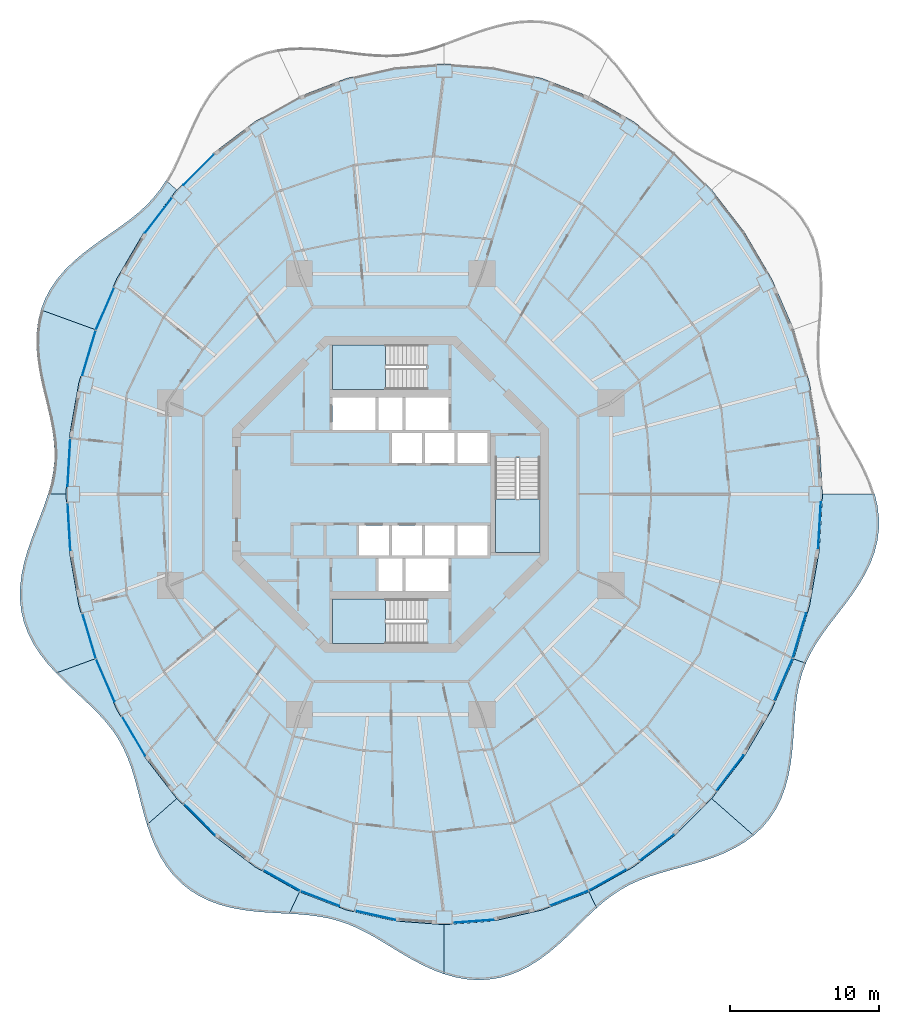
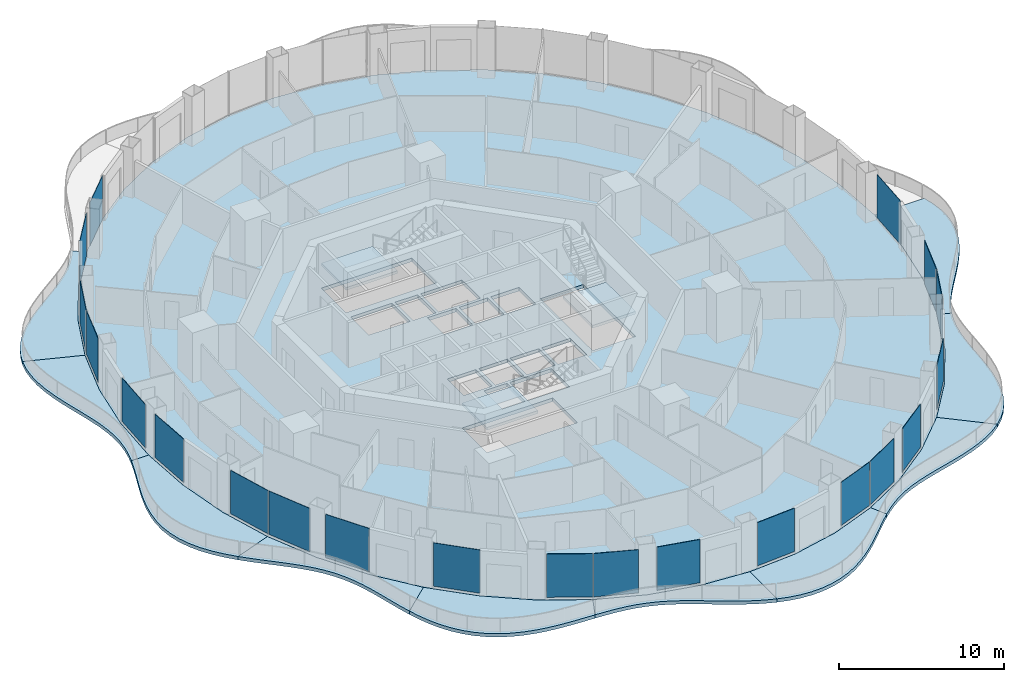
# One storey, part 9 of 19: 21 plates, 14 slabs, 24 elements without a shape of their own.
"""IFC4 building model written with IfcOpenShell, lengths in metres."""

import ifcopenshell
import ifcopenshell.guid

model = None  # the IFC model being written
_history = None  # IfcOwnerHistory: only IFC2X3 demands one
_inside = {}  # id of a spatial element -> (the spatial element, [elements in it])
_under = {}  # id of a project, library or spatial element -> (it, [spatial elements below it])
_declared = {}  # id of a project -> (the project, [libraries it declares])
_typed = {}  # id of a type object -> (the type object, [elements of that type])
_made_of = {}  # id of a material, layer set ... -> (it, [elements and type objects made of it])


def new_model(schema):
    """Start an empty IFC model of exactly this schema.

    Asked for "IFC4X3", IfcOpenShell would pick the latest addendum, in which some entities
    have other attributes; the version numbers below select the first issue.
    IFC2X3 requires an IfcOwnerHistory on every rooted entity: one is made here for all.
    """
    global model, _history
    if schema == "IFC4X3":
        model = ifcopenshell.file(schema_version=(4, 3, 0, 0))
    else:
        model = ifcopenshell.file(schema=schema)
    _inside.clear()
    _under.clear()
    _declared.clear()
    _typed.clear()
    _made_of.clear()
    _history = None
    if model.schema == "IFC2X3":
        org = make("IfcOrganization", Name="unknown")
        user = make(
            "IfcPersonAndOrganization",
            ThePerson=make("IfcPerson", FamilyName="unknown"),
            TheOrganization=org,
        )
        app = make(
            "IfcApplication",
            ApplicationDeveloper=org,
            Version="unknown",
            ApplicationFullName="unknown",
            ApplicationIdentifier="unknown",
        )
        _history = make(
            "IfcOwnerHistory",
            OwningUser=user,
            OwningApplication=app,
            ChangeAction="ADDED",
            CreationDate=0,
        )
    return model


def make(cls, **values):
    """One entity of the class cls with the attributes given. An attribute that is None is left unset."""
    return model.create_entity(
        cls, **{name: value for name, value in values.items() if value is not None}
    )


def rooted(cls, **values):
    """An entity with a GlobalId (a new one), such as an element, a storey or a relation."""
    return make(cls, GlobalId=ifcopenshell.guid.new(), OwnerHistory=_history, **values)


def si_unit(unit_type, name, prefix=None):
    """IfcSIUnit, for example si_unit("LENGTHUNIT", "METRE", prefix="MILLI")."""
    return make("IfcSIUnit", UnitType=unit_type, Prefix=prefix, Name=name)


def assignment(units):
    """IfcUnitAssignment: the units of a project."""
    return None if units is None else make("IfcUnitAssignment", Units=units)


def point(xyz):
    """IfcCartesianPoint."""
    return None if xyz is None else make("IfcCartesianPoint", Coordinates=xyz)


def direction(xyz):
    """IfcDirection."""
    return None if xyz is None else make("IfcDirection", DirectionRatios=xyz)


def frame(location, z_axis=None, x_axis=None):
    """IfcAxis2Placement3D, a coordinate frame: its origin and axes. An axis left out is left unset."""
    return make(
        "IfcAxis2Placement3D",
        Location=point(location),
        Axis=direction(z_axis),
        RefDirection=direction(x_axis),
    )


def frame_2d(location, x_axis=None):
    """IfcAxis2Placement2D, a coordinate frame in the plane: its origin and x axis."""
    return make(
        "IfcAxis2Placement2D", Location=point(location), RefDirection=direction(x_axis)
    )


def origin():
    """The frame at (0, 0, 0) with its axes left unset."""
    return frame((0.0, 0.0, 0.0))


def origin_2d():
    """The frame at (0, 0) in the plane with its x axis left unset."""
    return frame_2d((0.0, 0.0))


def place(relative_to, where):
    """IfcLocalPlacement: puts the frame where relative to a parent placement (None: the world)."""
    return make(
        "IfcLocalPlacement", PlacementRelTo=relative_to, RelativePlacement=where
    )


def context(
    kind, dimensions, precision=None, world=None, true_north=None, identifier=None
):
    """IfcGeometricRepresentationContext, for example the 3D "Model" context."""
    return make(
        "IfcGeometricRepresentationContext",
        ContextIdentifier=identifier,
        ContextType=kind,
        CoordinateSpaceDimension=dimensions,
        Precision=precision,
        WorldCoordinateSystem=world,
        TrueNorth=true_north,
    )


def subcontext(parent, identifier, kind, view, scale=None):
    """IfcGeometricRepresentationSubContext, for example "Body" below "Model"."""
    return make(
        "IfcGeometricRepresentationSubContext",
        ContextIdentifier=identifier,
        ContextType=kind,
        ParentContext=parent,
        TargetScale=scale,
        TargetView=view,
    )


def project(units=None, contexts=None):
    """IfcProject with its units and contexts."""
    return rooted(
        "IfcProject",
        Name="project",
        RepresentationContexts=contexts,
        UnitsInContext=assignment(units),
    )


def spatial(cls, under=None, at=None, **own):
    """A site, building, storey or space (cls), placed at a placement, below another one or the project."""
    s = rooted(cls, ObjectPlacement=at, **own)
    if under is not None:
        _under.setdefault(under.id(), (under, []))[1].append(s)
    return s


def polyline(points):
    """IfcPolyline through the points."""
    return make("IfcPolyline", Points=[point(p) for p in points])


def profile(cls, at=None, kind="AREA", **sizes):
    """A parametric profile (cls). Its sizes go by their IFC names, for example OverallWidth=200.0."""
    return make(cls, ProfileType=kind, Position=at, **sizes)


def rectangle(**sizes):
    """IfcRectangleProfileDef."""
    return profile("IfcRectangleProfileDef", **sizes)


def outline(outer, holes=None, kind="AREA"):
    """IfcArbitraryClosedProfileDef: a profile drawn as a closed curve; with holes, ...WithVoids."""
    if holes is None:
        return make("IfcArbitraryClosedProfileDef", ProfileType=kind, OuterCurve=outer)
    return make(
        "IfcArbitraryProfileDefWithVoids",
        ProfileType=kind,
        OuterCurve=outer,
        InnerCurves=holes,
    )


def extrude(swept, where, along, depth):
    """IfcExtrudedAreaSolid: the profile swept, set in the frame where, extruded along a direction by depth."""
    return make(
        "IfcExtrudedAreaSolid",
        SweptArea=swept,
        Position=where,
        ExtrudedDirection=direction(along),
        Depth=depth,
    )


def shape(context_of_items, identifier, shape_type, items):
    """IfcShapeRepresentation: the items that make up one representation, for example the "Body"."""
    return make(
        "IfcShapeRepresentation",
        ContextOfItems=context_of_items,
        RepresentationIdentifier=identifier,
        RepresentationType=shape_type,
        Items=items,
    )


def material(Name=None, Category=None):
    """IfcMaterial."""
    return make("IfcMaterial", Name=Name, Category=Category)


def layer(
    of_material, thickness, ventilated=None, Name=None, Category=None, Priority=None
):
    """IfcMaterialLayer: one layer of a wall or slab, of a material (None: an air gap)."""
    return make(
        "IfcMaterialLayer",
        Material=of_material,
        LayerThickness=thickness,
        IsVentilated=ventilated,
        Name=Name,
        Category=Category,
        Priority=Priority,
    )


def layer_set(layers, Name=None):
    """IfcMaterialLayerSet."""
    return make("IfcMaterialLayerSet", MaterialLayers=layers, LayerSetName=Name)


def made_of(thing, what):
    """Note that an element or type object is made of a material, layer set ...; save() writes the relation."""
    if what is not None:
        _made_of.setdefault(what.id(), (what, []))[1].append(thing)
    return thing


def type_object(cls, material=None, **own):
    """A type object (cls), such as IfcWallType, which elements share."""
    return made_of(rooted(cls, **own), material)


def element(
    cls,
    number,
    at=None,
    inside=None,
    cuts=None,
    type_object=None,
    material=None,
    context=None,
    identifier="Body",
    shape_type=None,
    held_by="IfcProductDefinitionShape",
    body=None,
    shapes=None,
    **own,
):
    """One element of the class cls, such as IfcWall. Its Tag is "e" and its number.

    at: its placement. inside: the storey or other place that contains it. cuts: it is an
    opening in that element (IfcRelVoidsElement). A single representation is given by context,
    identifier, shape_type and body (its items); several are given by shapes. held_by: the class
    of the entity that holds the representations. save() writes the other relations.
    """
    e = rooted(cls, Tag="e%d" % number, ObjectPlacement=at, **own)
    if body is not None:
        shapes = [shape(context, identifier, shape_type, body)]
    if shapes is not None:
        e.Representation = make(held_by, Representations=shapes)
    if inside is not None:
        _inside.setdefault(inside.id(), (inside, []))[1].append(e)
    if cuts is not None:
        rooted(
            "IfcRelVoidsElement", RelatingBuildingElement=cuts, RelatedOpeningElement=e
        )
    if type_object is not None:
        _typed.setdefault(type_object.id(), (type_object, []))[1].append(e)
    return made_of(e, material)


def aggregate(whole, parts):
    """IfcRelAggregates: a whole, such as a stair, and the parts it consists of."""
    return rooted("IfcRelAggregates", RelatingObject=whole, RelatedObjects=parts)


def save(model, path):
    """Write the relations noted so far, then the file.

    IfcRelAggregates (storeys below a building ...), IfcRelContainedInSpatialStructure (elements
    in a storey), IfcRelDefinesByType, IfcRelAssociatesMaterial and IfcRelDeclares: one each for
    every whole, place, type object, material and project.
    """
    for whole, parts in _under.values():
        aggregate(whole, parts)
    for where, things in _inside.values():
        rooted(
            "IfcRelContainedInSpatialStructure",
            RelatedElements=things,
            RelatingStructure=where,
        )
    for kind, things in _typed.values():
        rooted("IfcRelDefinesByType", RelatedObjects=things, RelatingType=kind)
    for what, things in _made_of.values():
        rooted("IfcRelAssociatesMaterial", RelatedObjects=things, RelatingMaterial=what)
    for by, libraries in _declared.values():
        rooted("IfcRelDeclares", RelatingContext=by, RelatedDefinitions=libraries)
    model.write(path)


model = new_model("IFC4")

# Units and contexts
model_context = context("Model", 3, precision=1e-05, world=origin(), true_north=direction((0.0, 1.0)))
body_context = subcontext(model_context, "Body", "Model", "MODEL_VIEW")
ifc_project = project(units=[si_unit("LENGTHUNIT", "METRE"), si_unit("AREAUNIT", "SQUARE_METRE"), si_unit("VOLUMEUNIT", "CUBIC_METRE"), si_unit("PLANEANGLEUNIT", "RADIAN"), si_unit("MASSUNIT", "GRAM", prefix="KILO")], contexts=[model_context])

# Site, building, storey
site_placement = place(None, origin())
site = spatial("IfcSite", under=ifc_project, at=site_placement, CompositionType="ELEMENT")
building_placement = place(site_placement, origin())
building = spatial("IfcBuilding", under=site, at=building_placement, Name="Nagisa Residences", CompositionType="ELEMENT")
storey_placement = place(building_placement, frame((0.0, 0.0, 202.89990234375)))
storey = spatial("IfcBuildingStorey", under=building, at=storey_placement, Name="L51", CompositionType="ELEMENT", Elevation=202.89990234375)

# Slabs
ifc_material_1 = material(Name="Concrete C40/50", Category="concrete")
ifc_layer_1 = layer(ifc_material_1, 0.25)
ifc_layer_set_1 = layer_set([ifc_layer_1], Name="BALCONY SLAB 250")
slab_type_1 = type_object("IfcSlabType", Name="BALCONY SLAB 250", PredefinedType="FLOOR", material=ifc_layer_set_1)
slab_1_placement = place(storey_placement, frame((0.0, 0.0, -0.25)))
element("IfcSlab", 1, at=slab_1_placement, inside=storey, type_object=slab_type_1, Name="slab:L51:bal06", PredefinedType="FLOOR", context=body_context, shape_type="SweptSolid", body=[
    extrude(outline(polyline([(-15.060546875, 21.04833984375), (-15.452392578125, 20.455322265625), (-15.887451171875, 19.901611328125), (-16.369140625, 19.3837890625), (-16.8984375, 18.89599609375), (-17.47216796875, 18.430419921875), (-18.083984375, 17.97802734375), (-18.72412109375, 17.52880859375), (-19.380615234375, 17.072509765625), (-20.0390625, 16.60009765625), (-20.68408203125, 16.103271484375), (-21.29931640625, 15.57470703125), (-21.86962890625, 15.010009765625), (-22.380859375, 14.40625), (-22.820556640625, 13.7626953125), (-23.18017578125, 13.080810546875), (-23.453857421875, 12.3642578125), (-19.843505859375, 11.050048828125), (-18.37548828125, 14.4375), (-16.53125, 17.577880859375), (-14.3427734375, 20.417724609375), (-15.060546875, 21.04833984375)])), origin(), (0.0, 0.0, 1.0), 0.25),
])
slab_2_placement = place(storey_placement, frame((0.0, 0.0, -0.25)))
element("IfcSlab", 2, at=slab_2_placement, inside=storey, type_object=slab_type_1, Name="slab:L51:bal07", PredefinedType="FLOOR", context=body_context, shape_type="SweptSolid", body=[
    extrude(outline(polyline([(-23.453857421875, 12.3642578125), (-23.643798828125, 11.593505859375), (-23.74267578125, 10.797607421875), (-23.756591796875, 9.984375), (-23.696533203125, 9.16162109375), (-23.576171875, 8.3369140625), (-23.412841796875, 7.51708984375), (-23.224609375, 6.70751953125), (-23.03076171875, 5.912109375), (-22.849609375, 5.13330078125), (-22.698974609375, 4.371337890625), (-22.5927734375, 3.625), (-22.54248046875, 2.8916015625), (-22.55517578125, 2.167236328125), (-22.6337890625, 1.447021484375), (-22.776123046875, 0.726318359375), (-22.975830078125, 0.0), (-21.77490234375, 0.0), (-21.557861328125, 3.76904296875), (-20.910400390625, 7.473388671875), (-19.843505859375, 11.050048828125), (-23.453857421875, 12.3642578125)])), origin(), (0.0, 0.0, 1.0), 0.25),
])
slab_3_placement = place(storey_placement, frame((0.0, 0.0, -0.25)))
element("IfcSlab", 3, at=slab_3_placement, inside=storey, type_object=slab_type_1, Name="slab:L51:bal08", PredefinedType="FLOOR", context=body_context, shape_type="SweptSolid", body=[
    extrude(outline(polyline([(-22.975830078125, 0.0), (-23.222412109375, -0.73583984375), (-23.50146484375, -1.484375), (-23.7958984375, -2.2470703125), (-24.08740234375, -3.024658203125), (-24.3564453125, -3.815185546875), (-24.583740234375, -4.615966796875), (-24.75244140625, -5.422119140625), (-24.846923828125, -6.228271484375), (-24.85595703125, -7.028076171875), (-24.77197265625, -7.815185546875), (-24.59130859375, -8.5830078125), (-24.31591796875, -9.326416015625), (-23.951171875, -10.040771484375), (-23.50732421875, -10.7236328125), (-22.997314453125, -11.37451171875), (-22.4375, -11.994140625), (-19.843505859375, -11.050048828125), (-20.910400390625, -7.473388671875), (-21.557861328125, -3.76904296875), (-21.77490234375, 0.0), (-22.975830078125, 0.0)])), origin(), (0.0, 0.0, 1.0), 0.25),
])
slab_4_placement = place(storey_placement, frame((0.0, 0.0, -0.25)))
element("IfcSlab", 4, at=slab_4_placement, inside=storey, type_object=slab_type_1, Name="slab:L51:bal09", PredefinedType="FLOOR", context=body_context, shape_type="SweptSolid", body=[
    extrude(outline(polyline([(-22.4375, -11.994140625), (-21.8642578125, -12.56884765625), (-21.27734375, -13.12255859375), (-20.693359375, -13.662109375), (-20.12744140625, -14.194580078125), (-19.5927734375, -14.728759765625), (-19.099853515625, -15.2724609375), (-18.655517578125, -15.833740234375), (-18.263671875, -16.419677734375), (-17.923828125, -17.03564453125), (-17.632568359375, -17.68505859375), (-17.38232421875, -18.369140625), (-17.1630859375, -19.086181640625), (-16.962890625, -19.83251953125), (-16.767578125, -20.60107421875), (-16.56298828125, -21.38330078125), (-16.334716796875, -22.168212890625), (-14.3427734375, -20.417724609375), (-16.53125, -17.577880859375), (-18.37548828125, -14.4375), (-19.843505859375, -11.050048828125), (-22.4375, -11.994140625)])), origin(), (0.0, 0.0, 1.0), 0.25),
])
slab_5_placement = place(storey_placement, frame((0.0, 0.0, -0.25)))
element("IfcSlab", 5, at=slab_5_placement, inside=storey, type_object=slab_type_1, Name="slab:L51:bal10", PredefinedType="FLOOR", context=body_context, shape_type="SweptSolid", body=[
    extrude(outline(polyline([(-16.334716796875, -22.168212890625), (-16.0830078125, -22.907470703125), (-15.787841796875, -23.626708984375), (-15.44140625, -24.314453125), (-15.03759765625, -24.9599609375), (-14.573486328125, -25.5537109375), (-14.048583984375, -26.08740234375), (-13.465087890625, -26.555419921875), (-12.827880859375, -26.9541015625), (-12.14306640625, -27.28271484375), (-11.419677734375, -27.5439453125), (-10.66650390625, -27.742431640625), (-9.89404296875, -27.88623046875), (-9.1123046875, -27.985107421875), (-8.33056640625, -28.051025390625), (-7.55712890625, -28.09716796875), (-6.798828125, -28.136962890625), (-6.110595703125, -26.677001953125), (-9.08740234375, -25.006591796875), (-11.847412109375, -22.907958984375), (-14.3427734375, -20.417724609375), (-16.334716796875, -22.168212890625)])), origin(), (0.0, 0.0, 1.0), 0.25),
])
slab_6_placement = place(storey_placement, frame((0.0, 0.0, -0.25)))
element("IfcSlab", 6, at=slab_6_placement, inside=storey, type_object=slab_type_1, Name="slab:L51:bal11", PredefinedType="FLOOR", context=body_context, shape_type="SweptSolid", body=[
    extrude(outline(polyline([(-6.798828125, -28.136962890625), (-6.086669921875, -28.18212890625), (-5.395751953125, -28.245361328125), (-4.726806640625, -28.33642578125), (-4.078857421875, -28.46337890625), (-3.44873046875, -28.6318359375), (-2.833251953125, -28.84521484375), (-2.22705078125, -29.10302734375), (-1.62451171875, -29.403076171875), (-1.020263671875, -29.739013671875), (-0.40869140625, -30.10302734375), (0.215087890625, -30.484375), (0.854736328125, -30.87060546875), (1.512939453125, -31.248291015625), (2.1904296875, -31.60302734375), (2.88671875, -31.921142578125), (3.60009765625, -32.189208984375), (3.60009765625, -28.875), (0.287841796875, -28.6279296875), (-2.967529296875, -27.89111328125), (-6.110595703125, -26.677001953125), (-6.798828125, -28.136962890625)])), origin(), (0.0, 0.0, 1.0), 0.25),
])
slab_7_placement = place(storey_placement, frame((0.0, 0.0, -0.25)))
element("IfcSlab", 7, at=slab_7_placement, inside=storey, type_object=slab_type_1, Name="slab:L51:bal12", PredefinedType="FLOOR", context=body_context, shape_type="SweptSolid", body=[
    extrude(outline(polyline([(3.60009765625, -32.189208984375), (4.32666015625, -32.3955078125), (5.061767578125, -32.530029296875), (5.80029296875, -32.5859375), (6.53564453125, -32.55859375), (7.261962890625, -32.446533203125), (7.9736328125, -32.25146484375), (8.6650390625, -31.978271484375), (9.33251953125, -31.63427734375), (9.97314453125, -31.229248046875), (10.585693359375, -30.77490234375), (11.171142578125, -30.284423828125), (11.731689453125, -29.771240234375), (12.27099609375, -29.249267578125), (12.794189453125, -28.7314453125), (13.3076171875, -28.229736328125), (13.818115234375, -27.75390625), (13.310546875, -26.677001953125), (10.16748046875, -27.89111328125), (6.912109375, -28.6279296875), (3.60009765625, -28.875), (3.60009765625, -32.189208984375)])), origin(), (0.0, 0.0, 1.0), 0.25),
])
slab_8_placement = place(storey_placement, frame((0.0, 0.0, -0.25)))
element("IfcSlab", 8, at=slab_8_placement, inside=storey, type_object=slab_type_1, Name="slab:L51:bal13", PredefinedType="FLOOR", context=body_context, shape_type="SweptSolid", body=[
    extrude(outline(polyline([(13.818115234375, -27.75390625), (14.3525390625, -27.29638671875), (14.899169921875, -26.881103515625), (15.465087890625, -26.511474609375), (16.055908203125, -26.186767578125), (16.675537109375, -25.903564453125), (17.32568359375, -25.65625), (18.005615234375, -25.43603515625), (18.71240234375, -25.23291015625), (19.44091796875, -25.035400390625), (20.18359375, -24.83154296875), (20.93115234375, -24.609375), (21.673095703125, -24.35791015625), (22.397705078125, -24.067138671875), (23.09375, -23.72900390625), (23.749755859375, -23.337646484375), (24.355712890625, -22.8896484375), (21.542724609375, -20.417724609375), (19.04736328125, -22.907958984375), (16.28759765625, -25.006591796875), (13.310546875, -26.677001953125), (13.818115234375, -27.75390625)])), origin(), (0.0, 0.0, 1.0), 0.25),
])
slab_9_placement = place(storey_placement, frame((0.0, 0.0, -0.25)))
element("IfcSlab", 9, at=slab_9_placement, inside=storey, type_object=slab_type_1, Name="slab:L51:bal14", PredefinedType="FLOOR", context=body_context, shape_type="SweptSolid", body=[
    extrude(outline(polyline([(24.355712890625, -22.8896484375), (24.92822265625, -22.357177734375), (25.42919921875, -21.762939453125), (25.85400390625, -21.11083984375), (26.202392578125, -20.408203125), (26.476806640625, -19.663330078125), (26.68359375, -18.886474609375), (26.832275390625, -18.088134765625), (26.934814453125, -17.279541015625), (27.00537109375, -16.470703125), (27.0595703125, -15.6708984375), (27.11328125, -14.8876953125), (27.181640625, -14.12646484375), (27.279052734375, -13.39111328125), (27.41748046875, -12.68310546875), (27.605712890625, -12.00146484375), (27.849609375, -11.343505859375), (27.04345703125, -11.050048828125), (25.575439453125, -14.4375), (23.7314453125, -17.577880859375), (21.542724609375, -20.417724609375), (24.355712890625, -22.8896484375)])), origin(), (0.0, 0.0, 1.0), 0.25),
])
slab_10_placement = place(storey_placement, frame((0.0, 0.0, -0.25)))
element("IfcSlab", 10, at=slab_10_placement, inside=storey, type_object=slab_type_1, Name="slab:L51:bal15", PredefinedType="FLOOR", context=body_context, shape_type="SweptSolid", body=[
    extrude(outline(polyline([(27.849609375, -11.343505859375), (28.16162109375, -10.684814453125), (28.53271484375, -10.041015625), (28.9560546875, -9.40478515625), (29.421142578125, -8.76953125), (29.9140625, -8.1279296875), (30.41748046875, -7.474365234375), (30.91357421875, -6.8037109375), (31.3828125, -6.11279296875), (31.806640625, -5.39990234375), (32.168212890625, -4.665771484375), (32.452392578125, -3.911865234375), (32.6484375, -3.141845703125), (32.7490234375, -2.360107421875), (32.75146484375, -1.572265625), (32.65771484375, -0.78369140625), (32.47412109375, 0.0), (28.97509765625, 0.0), (28.7578125, -3.76904296875), (28.1103515625, -7.473388671875), (27.04345703125, -11.050048828125), (27.849609375, -11.343505859375)])), origin(), (0.0, 0.0, 1.0), 0.25),
])

# Curtain wall, plate
ifc_material_2 = material(Name="Concrete-coloured aluminium curtain wall system", Category="concrete")
ifc_layer_2 = layer(ifc_material_2, 0.159912109375)
ifc_layer_set_2 = layer_set([ifc_layer_2], Name="CW1 CURTAIN WALL")
curtain_wall_type = type_object("IfcCurtainWallType", Name="CW1 CURTAIN WALL", PredefinedType="NOTDEFINED", material=ifc_layer_set_2)
curtain_wall_1_placement = place(storey_placement, origin())
curtain_wall_1 = element("IfcCurtainWall", 11, at=curtain_wall_1_placement, inside=storey, type_object=curtain_wall_type, Name="cw:CW1:L51:17", PredefinedType="NOTDEFINED")
ifc_material_3 = material(Name="Clear laminated glass", Category="glass")
ifc_layer_3 = layer(ifc_material_3, 0.028076171875)
ifc_layer_set_3 = layer_set([ifc_layer_3], Name="CW1 GLASS PANEL")
plate_type = type_object("IfcPlateType", Name="CW1 GLASS PANEL", PredefinedType="CURTAIN_PANEL", material=ifc_layer_set_3)
plate_1_placement = place(storey_placement, frame((-12.865234375, 21.779296875, 0.14990234375), z_axis=(0.0, 0.0, 1.0), x_axis=(-0.707835924016, -0.706376885714, 0.0)))
plate_1 = element("IfcPlate", 12, at=plate_1_placement, type_object=plate_type, Name="CW1 panel", PredefinedType="CURTAIN_PANEL", context=body_context, shape_type="SweptSolid", body=[
    extrude(rectangle(XDim=2.91552734375, YDim=0.028076171875, at=origin_2d()), origin(), (0.0, 0.0, 1.0), 3.199951171875),
])
aggregate(curtain_wall_1, [plate_1])

curtain_wall_2_placement = place(storey_placement, origin())
curtain_wall_2 = element("IfcCurtainWall", 13, at=curtain_wall_2_placement, inside=storey, type_object=curtain_wall_type, Name="cw:CW1:L51:18", PredefinedType="NOTDEFINED")
plate_2_placement = place(storey_placement, frame((-15.559814453125, 18.70751953125, 0.14990234375), z_axis=(0.0, 0.0, 1.0), x_axis=(-0.610429828235, -0.792070340816, 0.0)))
plate_2 = element("IfcPlate", 14, at=plate_2_placement, type_object=plate_type, Name="CW1 panel", PredefinedType="CURTAIN_PANEL", context=body_context, shape_type="SweptSolid", body=[
    extrude(rectangle(XDim=2.97509765625, YDim=0.028076171875, at=origin_2d()), origin(), (0.0, 0.0, 1.0), 3.199951171875),
])
aggregate(curtain_wall_2, [plate_2])

curtain_wall_3_placement = place(storey_placement, origin())
curtain_wall_3 = element("IfcCurtainWall", 15, at=curtain_wall_3_placement, inside=storey, type_object=curtain_wall_type, Name="cw:CW1:L51:20", PredefinedType="NOTDEFINED")
plate_3_placement = place(storey_placement, frame((-19.1572265625, 12.43212890625, 0.14990234375), z_axis=(0.0, 0.0, 1.0), x_axis=(-0.397635934147, -0.917543276295, 0.0)))
plate_3 = element("IfcPlate", 16, at=plate_3_placement, type_object=plate_type, Name="CW1 panel", PredefinedType="CURTAIN_PANEL", context=body_context, shape_type="SweptSolid", body=[
    extrude(rectangle(XDim=3.08203125, YDim=0.028076171875, at=origin_2d()), origin(), (0.0, 0.0, 1.0), 3.199951171875),
])
aggregate(curtain_wall_3, [plate_3])

curtain_wall_4_placement = place(storey_placement, origin())
curtain_wall_4 = element("IfcCurtainWall", 17, at=curtain_wall_4_placement, inside=storey, type_object=curtain_wall_type, Name="cw:CW1:L51:21", PredefinedType="NOTDEFINED")
plate_4_placement = place(storey_placement, frame((-20.230224609375, 9.4736328125, 0.14990234375), z_axis=(0.0, 0.0, 1.0), x_axis=(-0.285860274038, -0.958271310082, 0.0)))
plate_4 = element("IfcPlate", 18, at=plate_4_placement, type_object=plate_type, Name="CW1 panel", PredefinedType="CURTAIN_PANEL", context=body_context, shape_type="SweptSolid", body=[
    extrude(rectangle(XDim=3.122314453125, YDim=0.028076171875, at=origin_2d()), origin(), (0.0, 0.0, 1.0), 3.199951171875),
])
aggregate(curtain_wall_4, [plate_4])

curtain_wall_5_placement = place(storey_placement, origin())
curtain_wall_5 = element("IfcCurtainWall", 19, at=curtain_wall_5_placement, inside=storey, type_object=curtain_wall_type, Name="cw:CW1:L51:23", PredefinedType="NOTDEFINED")
plate_5_placement = place(storey_placement, frame((-21.572509765625, 2.12451171875, 0.14990234375), z_axis=(0.0, 0.0, 1.0), x_axis=(-0.057503492216, -0.998345305184, 0.0)))
plate_5 = element("IfcPlate", 20, at=plate_5_placement, type_object=plate_type, Name="CW1 panel", PredefinedType="CURTAIN_PANEL", context=body_context, shape_type="SweptSolid", body=[
    extrude(rectangle(XDim=3.165283203125, YDim=0.028076171875, at=origin_2d()), origin(), (0.0, 0.0, 1.0), 3.199951171875),
])
aggregate(curtain_wall_5, [plate_5])

curtain_wall_6_placement = place(storey_placement, origin())
curtain_wall_6 = element("IfcCurtainWall", 21, at=curtain_wall_6_placement, inside=storey, type_object=curtain_wall_type, Name="cw:CW1:L51:24", PredefinedType="NOTDEFINED")
plate_6_placement = place(storey_placement, frame((-21.569091796875, -2.184326171875, 0.14990234375), z_axis=(0.0, 0.0, 1.0), x_axis=(0.057503492216, -0.998345305184, 0.0)))
plate_6 = element("IfcPlate", 22, at=plate_6_placement, type_object=plate_type, Name="CW1 panel", PredefinedType="CURTAIN_PANEL", context=body_context, shape_type="SweptSolid", body=[
    extrude(rectangle(XDim=3.165283203125, YDim=0.028076171875, at=origin_2d()), origin(), (0.0, 0.0, 1.0), 3.199951171875),
])
aggregate(curtain_wall_6, [plate_6])

curtain_wall_7_placement = place(storey_placement, origin())
curtain_wall_7 = element("IfcCurtainWall", 23, at=curtain_wall_7_placement, inside=storey, type_object=curtain_wall_type, Name="cw:CW1:L51:26", PredefinedType="NOTDEFINED")
plate_7_placement = place(storey_placement, frame((-20.213134765625, -9.531005859375, 0.14990234375), z_axis=(0.0, 0.0, 1.0), x_axis=(0.285860274038, -0.958271310082, 0.0)))
plate_7 = element("IfcPlate", 24, at=plate_7_placement, type_object=plate_type, Name="CW1 panel", PredefinedType="CURTAIN_PANEL", context=body_context, shape_type="SweptSolid", body=[
    extrude(rectangle(XDim=3.122314453125, YDim=0.028076171875, at=origin_2d()), origin(), (0.0, 0.0, 1.0), 3.199951171875),
])
aggregate(curtain_wall_7, [plate_7])

curtain_wall_8_placement = place(storey_placement, origin())
curtain_wall_8 = element("IfcCurtainWall", 25, at=curtain_wall_8_placement, inside=storey, type_object=curtain_wall_type, Name="cw:CW1:L51:27", PredefinedType="NOTDEFINED")
plate_8_placement = place(storey_placement, frame((-19.133544921875, -12.487060546875, 0.14990234375), z_axis=(0.0, 0.0, 1.0), x_axis=(0.397635934147, -0.917543276295, 0.0)))
plate_8 = element("IfcPlate", 26, at=plate_8_placement, type_object=plate_type, Name="CW1 panel", PredefinedType="CURTAIN_PANEL", context=body_context, shape_type="SweptSolid", body=[
    extrude(rectangle(XDim=3.08203125, YDim=0.028076171875, at=origin_2d()), origin(), (0.0, 0.0, 1.0), 3.199951171875),
])
aggregate(curtain_wall_8, [plate_8])

curtain_wall_9_placement = place(storey_placement, origin())
curtain_wall_9 = element("IfcCurtainWall", 27, at=curtain_wall_9_placement, inside=storey, type_object=curtain_wall_type, Name="cw:CW1:L51:28", PredefinedType="NOTDEFINED")
plate_9_placement = place(storey_placement, frame((-17.22998046875, -16.230224609375, 0.14990234375), z_axis=(0.0, 0.0, 1.0), x_axis=(0.506348567002, -0.862328898214, 0.0)))
plate_9 = element("IfcPlate", 28, at=plate_9_placement, type_object=plate_type, Name="CW1 panel", PredefinedType="CURTAIN_PANEL", context=body_context, shape_type="SweptSolid", body=[
    extrude(rectangle(XDim=3.031982421875, YDim=0.028076171875, at=origin_2d()), origin(), (0.0, 0.0, 1.0), 3.199951171875),
])
aggregate(curtain_wall_9, [plate_9])

curtain_wall_10_placement = place(storey_placement, origin())
curtain_wall_10 = element("IfcCurtainWall", 29, at=curtain_wall_10_placement, inside=storey, type_object=curtain_wall_type, Name="cw:CW1:L51:30", PredefinedType="NOTDEFINED")
plate_10_placement = place(storey_placement, frame((-12.82275390625, -21.82177734375, 0.14990234375), z_axis=(0.0, 0.0, 1.0), x_axis=(0.707835924016, -0.706376885714, 0.0)))
plate_10 = element("IfcPlate", 30, at=plate_10_placement, type_object=plate_type, Name="CW1 panel", PredefinedType="CURTAIN_PANEL", context=body_context, shape_type="SweptSolid", body=[
    extrude(rectangle(XDim=2.91552734375, YDim=0.028076171875, at=origin_2d()), origin(), (0.0, 0.0, 1.0), 3.199951171875),
])
aggregate(curtain_wall_10, [plate_10])

curtain_wall_11_placement = place(storey_placement, origin())
curtain_wall_11 = element("IfcCurtainWall", 31, at=curtain_wall_11_placement, inside=storey, type_object=curtain_wall_type, Name="cw:CW1:L51:32", PredefinedType="NOTDEFINED")
plate_11_placement = place(storey_placement, frame((-7.2939453125, -25.921142578125, 0.14990234375), z_axis=(0.0, 0.0, 1.0), x_axis=(0.872072377523, -0.489376918501, 0.0)))
plate_11 = element("IfcPlate", 32, at=plate_11_placement, type_object=plate_type, Name="CW1 panel", PredefinedType="CURTAIN_PANEL", context=body_context, shape_type="SweptSolid", body=[
    extrude(rectangle(XDim=2.8037109375, YDim=0.028076171875, at=origin_2d()), origin(), (0.0, 0.0, 1.0), 3.199951171875),
])
aggregate(curtain_wall_11, [plate_11])

curtain_wall_12_placement = place(storey_placement, origin())
curtain_wall_12 = element("IfcCurtainWall", 33, at=curtain_wall_12_placement, inside=storey, type_object=curtain_wall_type, Name="cw:CW1:L51:33", PredefinedType="NOTDEFINED")
plate_12_placement = place(storey_placement, frame((-4.73876953125, -27.12109375, 0.14990234375), z_axis=(0.0, 0.0, 1.0), x_axis=(0.932825759707, -0.360327770268, 0.0)))
plate_12 = element("IfcPlate", 34, at=plate_12_placement, type_object=plate_type, Name="CW1 panel", PredefinedType="CURTAIN_PANEL", context=body_context, shape_type="SweptSolid", body=[
    extrude(rectangle(XDim=2.75927734375, YDim=0.028076171875, at=origin_2d()), origin(), (0.0, 0.0, 1.0), 3.199951171875),
])
aggregate(curtain_wall_12, [plate_12])

curtain_wall_13_placement = place(storey_placement, origin())
curtain_wall_13 = element("IfcCurtainWall", 35, at=curtain_wall_13_placement, inside=storey, type_object=curtain_wall_type, Name="cw:CW1:L51:34", PredefinedType="NOTDEFINED")
plate_13_placement = place(storey_placement, frame((-1.024658203125, -28.248779296875, 0.14990234375), z_axis=(0.0, 0.0, 1.0), x_axis=(0.975327274089, -0.2207639201, 0.0)))
plate_13 = element("IfcPlate", 36, at=plate_13_placement, type_object=plate_type, Name="CW1 panel", PredefinedType="CURTAIN_PANEL", context=body_context, shape_type="SweptSolid", body=[
    extrude(rectangle(XDim=2.727783203125, YDim=0.028076171875, at=origin_2d()), origin(), (0.0, 0.0, 1.0), 3.199951171875),
])
aggregate(curtain_wall_13, [plate_13])

curtain_wall_14_placement = place(storey_placement, origin())
curtain_wall_14 = element("IfcCurtainWall", 37, at=curtain_wall_14_placement, inside=storey, type_object=curtain_wall_type, Name="cw:CW1:L51:36", PredefinedType="NOTDEFINED")
plate_14_placement = place(storey_placement, frame((5.55419921875, -28.64892578125, 0.14990234375), z_axis=(0.0, 0.0, 1.0), x_axis=(0.997230168512, 0.074377355493, 0.0)))
plate_14 = element("IfcPlate", 38, at=plate_14_placement, type_object=plate_type, Name="CW1 panel", PredefinedType="CURTAIN_PANEL", context=body_context, shape_type="SweptSolid", body=[
    extrude(rectangle(XDim=2.711181640625, YDim=0.028076171875, at=origin_2d()), origin(), (0.0, 0.0, 1.0), 3.199951171875),
])
aggregate(curtain_wall_14, [plate_14])

curtain_wall_15_placement = place(storey_placement, origin())
curtain_wall_15 = element("IfcCurtainWall", 39, at=curtain_wall_15_placement, inside=storey, type_object=curtain_wall_type, Name="cw:CW1:L51:38", PredefinedType="NOTDEFINED")
plate_15_placement = place(storey_placement, frame((11.99462890625, -27.099609375, 0.14990234375), z_axis=(0.0, 0.0, 1.0), x_axis=(0.932825759707, 0.360327770268, 0.0)))
plate_15 = element("IfcPlate", 40, at=plate_15_placement, type_object=plate_type, Name="CW1 panel", PredefinedType="CURTAIN_PANEL", context=body_context, shape_type="SweptSolid", body=[
    extrude(rectangle(XDim=2.75927734375, YDim=0.028076171875, at=origin_2d()), origin(), (0.0, 0.0, 1.0), 3.199951171875),
])
aggregate(curtain_wall_15, [plate_15])

curtain_wall_16_placement = place(storey_placement, origin())
curtain_wall_16 = element("IfcCurtainWall", 41, at=curtain_wall_16_placement, inside=storey, type_object=curtain_wall_type, Name="cw:CW1:L51:39", PredefinedType="NOTDEFINED")
plate_16_placement = place(storey_placement, frame((14.546142578125, -25.891845703125, 0.14990234375), z_axis=(0.0, 0.0, 1.0), x_axis=(0.872072377523, 0.489376918501, 0.0)))
plate_16 = element("IfcPlate", 42, at=plate_16_placement, type_object=plate_type, Name="CW1 panel", PredefinedType="CURTAIN_PANEL", context=body_context, shape_type="SweptSolid", body=[
    extrude(rectangle(XDim=2.8037109375, YDim=0.028076171875, at=origin_2d()), origin(), (0.0, 0.0, 1.0), 3.199951171875),
])
aggregate(curtain_wall_16, [plate_16])

curtain_wall_17_placement = place(storey_placement, origin())
curtain_wall_17 = element("IfcCurtainWall", 43, at=curtain_wall_17_placement, inside=storey, type_object=curtain_wall_type, Name="cw:CW1:L51:40", PredefinedType="NOTDEFINED")
plate_17_placement = place(storey_placement, frame((17.86181640625, -23.708984375, 0.14990234375), z_axis=(0.0, 0.0, 1.0), x_axis=(0.79603132756, 0.605255421737, 0.0)))
plate_17 = element("IfcPlate", 44, at=plate_17_placement, type_object=plate_type, Name="CW1 panel", PredefinedType="CURTAIN_PANEL", context=body_context, shape_type="SweptSolid", body=[
    extrude(rectangle(XDim=2.85693359375, YDim=0.028076171875, at=origin_2d()), origin(), (0.0, 0.0, 1.0), 3.199951171875),
])
aggregate(curtain_wall_17, [plate_17])

curtain_wall_18_placement = place(storey_placement, origin())
curtain_wall_18 = element("IfcCurtainWall", 45, at=curtain_wall_18_placement, inside=storey, type_object=curtain_wall_type, Name="cw:CW1:L51:42", PredefinedType="NOTDEFINED")
plate_18_placement = place(storey_placement, frame((22.760009765625, -18.70751953125, 0.14990234375), z_axis=(0.0, 0.0, 1.0), x_axis=(0.610429828235, 0.792070340816, 0.0)))
plate_18 = element("IfcPlate", 46, at=plate_18_placement, type_object=plate_type, Name="CW1 panel", PredefinedType="CURTAIN_PANEL", context=body_context, shape_type="SweptSolid", body=[
    extrude(rectangle(XDim=2.97509765625, YDim=0.028076171875, at=origin_2d()), origin(), (0.0, 0.0, 1.0), 3.199951171875),
])
aggregate(curtain_wall_18, [plate_18])

curtain_wall_19_placement = place(storey_placement, origin())
curtain_wall_19 = element("IfcCurtainWall", 47, at=curtain_wall_19_placement, inside=storey, type_object=curtain_wall_type, Name="cw:CW1:L51:44", PredefinedType="NOTDEFINED")
plate_19_placement = place(storey_placement, frame((26.357177734375, -12.43212890625, 0.14990234375), z_axis=(0.0, 0.0, 1.0), x_axis=(0.397635934147, 0.917543276295, 0.0)))
plate_19 = element("IfcPlate", 48, at=plate_19_placement, type_object=plate_type, Name="CW1 panel", PredefinedType="CURTAIN_PANEL", context=body_context, shape_type="SweptSolid", body=[
    extrude(rectangle(XDim=3.08203125, YDim=0.028076171875, at=origin_2d()), origin(), (0.0, 0.0, 1.0), 3.199951171875),
])
aggregate(curtain_wall_19, [plate_19])

curtain_wall_20_placement = place(storey_placement, origin())
curtain_wall_20 = element("IfcCurtainWall", 49, at=curtain_wall_20_placement, inside=storey, type_object=curtain_wall_type, Name="cw:CW1:L51:45", PredefinedType="NOTDEFINED")
plate_20_placement = place(storey_placement, frame((27.43017578125, -9.4736328125, 0.14990234375), z_axis=(0.0, 0.0, 1.0), x_axis=(0.285860274038, 0.958271310082, 0.0)))
plate_20 = element("IfcPlate", 50, at=plate_20_placement, type_object=plate_type, Name="CW1 panel", PredefinedType="CURTAIN_PANEL", context=body_context, shape_type="SweptSolid", body=[
    extrude(rectangle(XDim=3.122314453125, YDim=0.028076171875, at=origin_2d()), origin(), (0.0, 0.0, 1.0), 3.199951171875),
])
aggregate(curtain_wall_20, [plate_20])

curtain_wall_21_placement = place(storey_placement, origin())
curtain_wall_21 = element("IfcCurtainWall", 51, at=curtain_wall_21_placement, inside=storey, type_object=curtain_wall_type, Name="cw:CW1:L51:47", PredefinedType="NOTDEFINED")
plate_21_placement = place(storey_placement, frame((28.7724609375, -2.12451171875, 0.14990234375), z_axis=(0.0, 0.0, 1.0), x_axis=(0.057503492216, 0.998345305184, 0.0)))
plate_21 = element("IfcPlate", 52, at=plate_21_placement, type_object=plate_type, Name="CW1 panel", PredefinedType="CURTAIN_PANEL", context=body_context, shape_type="SweptSolid", body=[
    extrude(rectangle(XDim=3.165283203125, YDim=0.028076171875, at=origin_2d()), origin(), (0.0, 0.0, 1.0), 3.199951171875),
])
aggregate(curtain_wall_21, [plate_21])

# Slab
ifc_material_4 = material(Name="Concrete C40", Category="concrete")
ifc_layer_4 = layer(ifc_material_4, 0.260009765625)
ifc_layer_set_4 = layer_set([ifc_layer_4], Name="Floor slab 260")
slab_type_2 = type_object("IfcSlabType", Name="Floor slab 260", PredefinedType="FLOOR", material=ifc_layer_set_4)
slab_11_placement = place(storey_placement, frame((0.0, 0.0, -0.260009765625)))
element("IfcSlab", 53, at=slab_11_placement, inside=storey, type_object=slab_type_2, Name="slab:L51:floor", PredefinedType="FLOOR", context=body_context, shape_type="SweptSolid", body=[
    extrude(outline(polyline([(28.97509765625, 0.0), (28.7578125, 3.76904296875), (28.1103515625, 7.473388671875), (27.04345703125, 11.050048828125), (25.575439453125, 14.4375), (23.7314453125, 17.577880859375), (21.542724609375, 20.417724609375), (19.04736328125, 22.907958984375), (16.28759765625, 25.006591796875), (13.310546875, 26.677001953125), (10.16748046875, 27.89111328125), (6.912109375, 28.6279296875), (3.60009765625, 28.875), (0.287841796875, 28.6279296875), (-2.967529296875, 27.89111328125), (-6.110595703125, 26.677001953125), (-9.08740234375, 25.006591796875), (-11.847412109375, 22.907958984375), (-14.3427734375, 20.417724609375), (-16.53125, 17.577880859375), (-18.37548828125, 14.4375), (-19.843505859375, 11.050048828125), (-20.910400390625, 7.473388671875), (-21.557861328125, 3.76904296875), (-21.77490234375, 0.0), (-21.557861328125, -3.76904296875), (-20.910400390625, -7.473388671875), (-19.843505859375, -11.050048828125), (-18.37548828125, -14.4375), (-16.53125, -17.577880859375), (-14.3427734375, -20.417724609375), (-11.847412109375, -22.907958984375), (-9.08740234375, -25.006591796875), (-6.110595703125, -26.677001953125), (-2.967529296875, -27.89111328125), (0.287841796875, -28.6279296875), (3.60009765625, -28.875), (6.912109375, -28.6279296875), (10.16748046875, -27.89111328125), (13.310546875, -26.677001953125), (16.28759765625, -25.006591796875), (19.04736328125, -22.907958984375), (21.542724609375, -20.417724609375), (23.7314453125, -17.577880859375), (25.575439453125, -14.4375), (27.04345703125, -11.050048828125), (28.1103515625, -7.473388671875), (28.7578125, -3.76904296875), (28.97509765625, 0.0)]), holes=[polyline([(2.10009765625, 2.10009765625), (2.10009765625, 4.10009765625), (0.10009765625, 4.10009765625), (0.10009765625, 2.10009765625), (2.10009765625, 2.10009765625)]), polyline([(4.300048828125, 2.10009765625), (4.300048828125, 4.10009765625), (2.300048828125, 4.10009765625), (2.300048828125, 2.10009765625), (4.300048828125, 2.10009765625)]), polyline([(6.5, 2.10009765625), (6.5, 4.10009765625), (4.5, 4.10009765625), (4.5, 2.10009765625), (6.5, 2.10009765625)]), polyline([(-0.10009765625, -4.10009765625), (-0.10009765625, -2.10009765625), (-2.10009765625, -2.10009765625), (-2.10009765625, -4.10009765625), (-0.10009765625, -4.10009765625)]), polyline([(2.10009765625, -4.10009765625), (2.10009765625, -2.10009765625), (0.10009765625, -2.10009765625), (0.10009765625, -4.10009765625), (2.10009765625, -4.10009765625)]), polyline([(4.300048828125, -4.10009765625), (4.300048828125, -2.10009765625), (2.300048828125, -2.10009765625), (2.300048828125, -4.10009765625), (4.300048828125, -4.10009765625)]), polyline([(6.5, -4.10009765625), (6.5, -2.10009765625), (4.5, -2.10009765625), (4.5, -4.10009765625), (6.5, -4.10009765625)]), polyline([(3.89990234375, 4.300048828125), (3.89990234375, 6.5), (1.0, 6.5), (1.0, 4.300048828125), (3.89990234375, 4.300048828125)]), polyline([(3.89990234375, -6.5), (3.89990234375, -4.300048828125), (1.0, -4.300048828125), (1.0, -6.5), (3.89990234375, -6.5)]), polyline([(-1.0, 4.300048828125), (-1.0, 6.5), (-3.89990234375, 6.5), (-3.89990234375, 4.300048828125), (-1.0, 4.300048828125)]), polyline([(0.800048828125, 4.300048828125), (0.800048828125, 6.5), (-0.800048828125, 6.5), (-0.800048828125, 4.300048828125), (0.800048828125, 4.300048828125)]), polyline([(0.800048828125, -6.5), (0.800048828125, -4.300048828125), (-0.800048828125, -4.300048828125), (-0.800048828125, -6.5), (0.800048828125, -6.5)]), polyline([(10.024658203125, -3.89990234375), (7.024658203125, -3.89990234375), (7.024658203125, 2.425048828125), (10.024658203125, 2.425048828125), (10.024658203125, -3.89990234375)]), polyline([(-3.89990234375, 7.024658203125), (-3.89990234375, 10.024658203125), (2.425048828125, 10.024658203125), (2.425048828125, 7.024658203125), (-3.89990234375, 7.024658203125)]), polyline([(-3.89990234375, -10.024658203125), (-3.89990234375, -7.024658203125), (2.425048828125, -7.024658203125), (2.425048828125, -10.024658203125), (-3.89990234375, -10.024658203125)])]), origin(), (0.0, 0.0, 1.0), 0.260009765625),
])

# Stair, slab
ifc_material_5 = material(Name="Concrete C60", Category="concrete")
stair_type = type_object("IfcStairType", Name="Exit stair", PredefinedType="HALF_TURN_STAIR", material=ifc_material_5)
stair_1_placement = place(storey_placement, origin())
stair_1 = element("IfcStair", 54, at=stair_1_placement, inside=storey, type_object=stair_type, Name="L51 Exit stair E", PredefinedType="HALF_TURN_STAIR")
ifc_material_6 = material(Name="Concrete C60", Category="concrete")
ifc_layer_5 = layer(ifc_material_6, 0.199951171875)
ifc_layer_set_5 = layer_set([ifc_layer_5], Name="Stair landing")
slab_type_3 = type_object("IfcSlabType", Name="Stair landing", PredefinedType="LANDING", material=ifc_layer_set_5)
slab_12_placement = place(storey_placement, frame((0.0, 0.0, 1.650146484375)))
slab_12 = element("IfcSlab", 55, at=slab_12_placement, type_object=slab_type_3, Name="ST-E landing 1", PredefinedType="LANDING", context=body_context, shape_type="SweptSolid", body=[
    extrude(outline(polyline([(7.024658203125, -0.324951171875), (7.024658203125, -3.89990234375), (10.024658203125, -3.89990234375), (10.024658203125, -0.324951171875), (7.024658203125, -0.324951171875)])), origin(), (0.0, 0.0, 1.0), 0.199951171875),
])
aggregate(stair_1, [slab_12])

stair_2_placement = place(storey_placement, origin())
stair_2 = element("IfcStair", 56, at=stair_2_placement, inside=storey, type_object=stair_type, Name="L51 Exit stair N", PredefinedType="HALF_TURN_STAIR")
slab_13_placement = place(storey_placement, frame((0.0, 0.0, 1.650146484375)))
slab_13 = element("IfcSlab", 57, at=slab_13_placement, type_object=slab_type_3, Name="ST-N landing 1", PredefinedType="LANDING", context=body_context, shape_type="SweptSolid", body=[
    extrude(outline(polyline([(-0.324951171875, 10.024658203125), (-3.89990234375, 10.024658203125), (-3.89990234375, 7.024658203125), (-0.324951171875, 7.024658203125), (-0.324951171875, 10.024658203125)])), origin(), (0.0, 0.0, 1.0), 0.199951171875),
])
aggregate(stair_2, [slab_13])

stair_3_placement = place(storey_placement, origin())
stair_3 = element("IfcStair", 58, at=stair_3_placement, inside=storey, type_object=stair_type, Name="L51 Exit stair S", PredefinedType="HALF_TURN_STAIR")
slab_14_placement = place(storey_placement, frame((0.0, 0.0, 1.650146484375)))
slab_14 = element("IfcSlab", 59, at=slab_14_placement, type_object=slab_type_3, Name="ST-S landing 1", PredefinedType="LANDING", context=body_context, shape_type="SweptSolid", body=[
    extrude(outline(polyline([(-0.324951171875, -7.024658203125), (-3.89990234375, -7.024658203125), (-3.89990234375, -10.024658203125), (-0.324951171875, -10.024658203125), (-0.324951171875, -7.024658203125)])), origin(), (0.0, 0.0, 1.0), 0.199951171875),
])
aggregate(stair_3, [slab_14])

save(model, "model.ifc")
